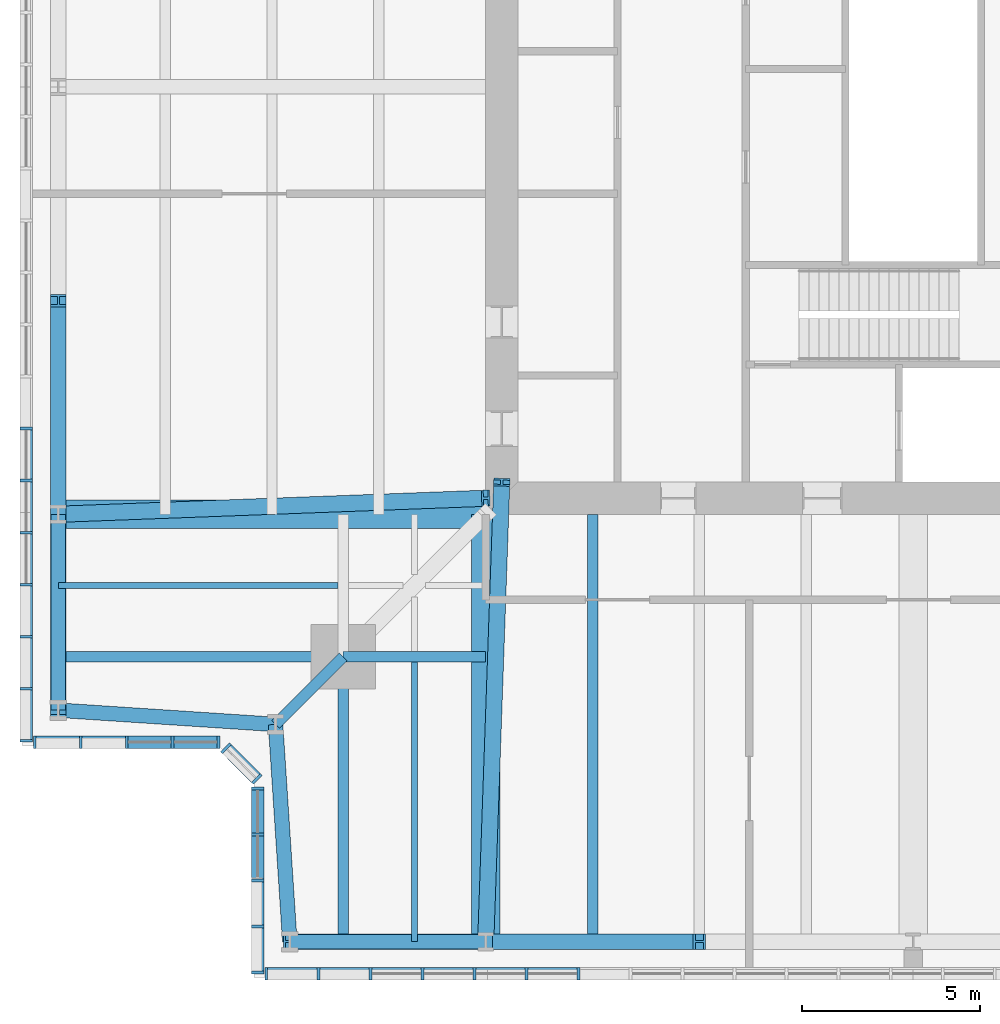
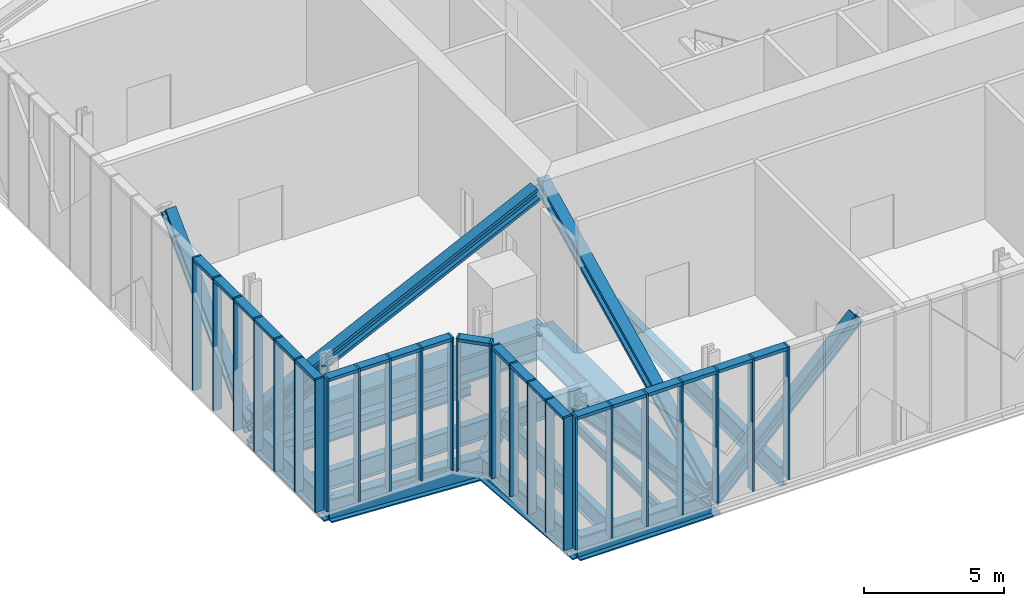
# One storey, part 2 of 18: 53 members, 13 beams, 5 elements without a shape of their own.
"""IFC4 building model written with IfcOpenShell, lengths in metres."""

from ifc_helpers import new_model, si_unit, direction, frame, origin, origin_2d, place, context, subcontext, project, spatial, rectangle, i_section, extrude, material, material_profile, profile_set, type_object, element, aggregate, save


model = new_model("IFC4")

# Units and contexts
model_context = context("Model", 3, precision=1e-05, world=origin(), true_north=direction((0.0, 1.0)))
body_context = subcontext(model_context, "Body", "Model", "MODEL_VIEW")
ifc_project = project(units=[si_unit("LENGTHUNIT", "METRE"), si_unit("AREAUNIT", "SQUARE_METRE"), si_unit("VOLUMEUNIT", "CUBIC_METRE"), si_unit("PLANEANGLEUNIT", "RADIAN"), si_unit("MASSUNIT", "GRAM", prefix="KILO")], contexts=[model_context])

# Site, building, storey
site_placement = place(None, origin())
site = spatial("IfcSite", under=ifc_project, at=site_placement, CompositionType="ELEMENT")
building_placement = place(site_placement, origin())
building = spatial("IfcBuilding", under=site, at=building_placement, Name="Fenwick Lantern Interchange", CompositionType="ELEMENT")
storey_placement = place(building_placement, frame((0.0, 0.0, 301.800048828125)))
storey = spatial("IfcBuildingStorey", under=building, at=storey_placement, Name="L73", CompositionType="ELEMENT", Elevation=301.800048828125)

# Members
ifc_material_1 = material(Name="Steel ASTM A992 Grade 50", Category="steel")
ifc_material_profile_1 = material_profile(ifc_material_1, i_section(OverallWidth=0.431884765625, OverallDepth=0.497802734375, WebThickness=0.0556640625, FlangeThickness=0.0888671875, at=origin_2d()), Name="W14X500")
ifc_profile_set_1 = profile_set([ifc_material_profile_1], Name="Steel ASTM A992 Grade 50")
member_type_1 = type_object("IfcMemberType", Name="BELT TRUSS DIAGONAL W14X500", PredefinedType="BRACE", material=ifc_profile_set_1)
member_1_placement = place(storey_placement, frame((13.0, 1.0, -0.650146484375), z_axis=(-0.675724628517, 0.0, 0.737154140201), x_axis=(0.0, -1.0, 0.0)))
element("IfcMember", 1, at=member_1_placement, inside=storey, type_object=member_type_1, Name="L73/BT/S/D1", PredefinedType="BRACE", context=body_context, shape_type="SweptSolid", body=[
    extrude(i_section(OverallWidth=0.431884765625, OverallDepth=0.497802734375, WebThickness=0.0556640625, FlangeThickness=0.0888671875, at=origin_2d()), origin(), (0.0, 0.0, 1.0), 8.139404296875),
])
for number, where, z_axis, x_axis, name in (
    (2, (13.0, 1.0, -0.650146484375), (0.707106781187, 0.0, 0.707106781187), (0.0, 1.0, 0.0), "L73/BT/S/D2"),
    (3, (1.0, 13.0, -0.650146484375), (0.0, 0.707106781187, 0.707106781187), (-1.0, 0.0, 0.0), "L73/BT/W/D5"),
):
    element("IfcMember", number, at=place(storey_placement, frame(where, z_axis=z_axis, x_axis=x_axis)), inside=storey, type_object=member_type_1, Name=name, PredefinedType="BRACE", context=body_context, shape_type="SweptSolid", body=[
        extrude(i_section(OverallWidth=0.431884765625, OverallDepth=0.497802734375, WebThickness=0.0556640625, FlangeThickness=0.0888671875, at=origin_2d()), origin(), (0.0, 0.0, 1.0), 8.4853515625),
    ])
member_2_placement = place(storey_placement, frame((1.0, 13.0, -0.650146484375), z_axis=(0.0, -0.675724628517, 0.737154140201), x_axis=(1.0, 0.0, 0.0)))
element("IfcMember", 4, at=member_2_placement, inside=storey, type_object=member_type_1, Name="L73/BT/W/D6", PredefinedType="BRACE", context=body_context, shape_type="SweptSolid", body=[
    extrude(i_section(OverallWidth=0.431884765625, OverallDepth=0.497802734375, WebThickness=0.0556640625, FlangeThickness=0.0888671875, at=origin_2d()), origin(), (0.0, 0.0, 1.0), 8.139404296875),
])

# Beams
ifc_material_profile_2 = material_profile(ifc_material_1, i_section(OverallWidth=0.408935546875, OverallDepth=1.04150390625, WebThickness=0.031005859375, FlangeThickness=0.055908203125, at=origin_2d()), Name="W40X397")
ifc_profile_set_2 = profile_set([ifc_material_profile_2], Name="Steel ASTM A992 Grade 50")
beam_type_1 = type_object("IfcBeamType", Name="EDGE BEAM W40X397", PredefinedType="SPANDREL", material=ifc_profile_set_2)
for number, where, z_axis, x_axis, name in (
    (5, (7.5, 1.0, -0.720703125), (1.0, 0.0, 0.0), (0.0, 1.0, 0.0), "L73/FR/S/EB1"),
    (6, (1.0, 13.0, -0.720703125), (0.0, -1.0, 0.0), (1.0, 0.0, 0.0), "L73/FR/W/EB4"),
):
    element("IfcBeam", number, at=place(storey_placement, frame(where, z_axis=z_axis, x_axis=x_axis)), inside=storey, type_object=beam_type_1, Name=name, PredefinedType="SPANDREL", context=body_context, shape_type="SweptSolid", body=[
        extrude(i_section(OverallWidth=0.408935546875, OverallDepth=1.04150390625, WebThickness=0.031005859375, FlangeThickness=0.055908203125, at=origin_2d()), origin(), (0.0, 0.0, 1.0), 5.5),
    ])
for number, where, z_axis, x_axis, name in (
    (7, (1.0, 7.5, -0.720703125), (0.997858060337, -0.065416293237, 0.0), (0.065416293237, 0.997858060337, 0.0), "L73/FR/W/EBR1"),
    (8, (7.10009765625, 7.10009765625, -0.720703125), (0.065416293237, -0.997858060337, 0.0), (0.997858060337, 0.065416293237, 0.0), "L73/FR/W/EBR2"),
):
    element("IfcBeam", number, at=place(storey_placement, frame(where, z_axis=z_axis, x_axis=x_axis)), inside=storey, type_object=beam_type_1, Name=name, PredefinedType="SPANDREL", context=body_context, shape_type="SweptSolid", body=[
        extrude(i_section(OverallWidth=0.408935546875, OverallDepth=1.04150390625, WebThickness=0.031005859375, FlangeThickness=0.055908203125, at=origin_2d()), origin(), (0.0, 0.0, 1.0), 6.11328125),
    ])
ifc_material_profile_3 = material_profile(ifc_material_1, i_section(OverallWidth=0.2919921875, OverallDepth=0.845703125, WebThickness=0.015380859375, FlangeThickness=0.0244140625, at=origin_2d()), Name="W33X141")
ifc_profile_set_3 = profile_set([ifc_material_profile_3], Name="Steel ASTM A992 Grade 50")
beam_type_2 = type_object("IfcBeamType", Name="FLOOR BEAM W33X141", PredefinedType="BEAM", material=ifc_profile_set_3)
beam_1_placement = place(storey_placement, frame((16.0, 1.0, -0.623046875), z_axis=(0.0, 1.0, 0.0), x_axis=(-1.0, 0.0, 0.0)))
element("IfcBeam", 9, at=beam_1_placement, inside=storey, type_object=beam_type_2, Name="L73/FR/S/R02", PredefinedType="BEAM", context=body_context, shape_type="SweptSolid", body=[
    extrude(i_section(OverallWidth=0.2919921875, OverallDepth=0.845703125, WebThickness=0.015380859375, FlangeThickness=0.0244140625, at=origin_2d()), origin(), (0.0, 0.0, 1.0), 12.0),
])
ifc_material_profile_4 = material_profile(ifc_material_1, i_section(OverallWidth=0.177734375, OverallDepth=0.406494140625, WebThickness=0.0078125, FlangeThickness=0.012939453125, at=origin_2d()), Name="W16X40")
ifc_profile_set_4 = profile_set([ifc_material_profile_4], Name="Steel ASTM A992 Grade 50")
beam_type_3 = type_object("IfcBeamType", Name="INFILL BEAM W16X40", PredefinedType="JOIST", material=ifc_profile_set_4)
for number, where, z_axis, x_axis, name in (
    (10, (11.0, 1.0, -0.4033203125), (0.0, 1.0, 0.0), (-1.0, 0.0, 0.0), "L73/FR/S/J1"),
    (11, (1.0, 11.0, -0.4033203125), (1.0, 0.0, 0.0), (0.0, 1.0, 0.0), "L73/FR/S/J3"),
):
    element("IfcBeam", number, at=place(storey_placement, frame(where, z_axis=z_axis, x_axis=x_axis)), inside=storey, type_object=beam_type_3, Name=name, PredefinedType="JOIST", context=body_context, shape_type="SweptSolid", body=[
        extrude(i_section(OverallWidth=0.177734375, OverallDepth=0.406494140625, WebThickness=0.0078125, FlangeThickness=0.012939453125, at=origin_2d()), origin(), (0.0, 0.0, 1.0), 7.85400390625),
    ])

# Curtain wall, members
ifc_material_2 = material(Name="Aluminium curtain wall frame", Category="aluminium")
curtain_wall_type = type_object("IfcCurtainWallType", Name="LANTERN GLAZING", PredefinedType="USERDEFINED", material=ifc_material_2)
curtain_wall_1_placement = place(storey_placement, origin())
curtain_wall_1 = element("IfcCurtainWall", 12, at=curtain_wall_1_placement, inside=storey, type_object=curtain_wall_type, Name="Lantern glazing 01", ObjectType="LANTERN GLAZING", PredefinedType="USERDEFINED")
ifc_material_3 = material(Name="Aluminium extrusion", Category="aluminium")
ifc_material_profile_5 = material_profile(ifc_material_3, rectangle(XDim=0.35009765625, YDim=0.080078125, at=origin_2d()), Name="LANTERN GLAZING MULLION 80 X 350")
ifc_profile_set_5 = profile_set([ifc_material_profile_5], Name="Aluminium extrusion")
member_type_2 = type_object("IfcMemberType", Name="LANTERN GLAZING MULLION 80 X 350", PredefinedType="MULLION", material=ifc_profile_set_5)
member_3_placement = place(storey_placement, frame((6.840087890625, 0.10009765625, 0.0), z_axis=(0.0, 0.0, 1.0), x_axis=(0.0, 1.0, 0.0)))
member_3 = element("IfcMember", 13, at=member_3_placement, type_object=member_type_2, Name="L73/CW/01/M00", PredefinedType="MULLION", context=body_context, shape_type="SweptSolid", body=[
    extrude(rectangle(XDim=0.35009765625, YDim=0.080078125, at=origin_2d()), origin(), (0.0, 0.0, 1.0), 5.800048828125),
])
member_4_placement = place(storey_placement, frame((8.30078125, 0.10009765625, 0.0), z_axis=(0.0, 0.0, 1.0), x_axis=(0.0, 1.0, 0.0)))
member_4 = element("IfcMember", 14, at=member_4_placement, type_object=member_type_2, Name="L73/CW/01/M01", PredefinedType="MULLION", context=body_context, shape_type="SweptSolid", body=[
    extrude(rectangle(XDim=0.35009765625, YDim=0.080078125, at=origin_2d()), origin(), (0.0, 0.0, 1.0), 5.800048828125),
])
member_5_placement = place(storey_placement, frame((9.76171875, 0.10009765625, 0.0), z_axis=(0.0, 0.0, 1.0), x_axis=(0.0, 1.0, 0.0)))
member_5 = element("IfcMember", 15, at=member_5_placement, type_object=member_type_2, Name="L73/CW/01/M02", PredefinedType="MULLION", context=body_context, shape_type="SweptSolid", body=[
    extrude(rectangle(XDim=0.35009765625, YDim=0.080078125, at=origin_2d()), origin(), (0.0, 0.0, 1.0), 5.800048828125),
])
member_6_placement = place(storey_placement, frame((11.222412109375, 0.10009765625, 0.0), z_axis=(0.0, 0.0, 1.0), x_axis=(0.0, 1.0, 0.0)))
member_6 = element("IfcMember", 16, at=member_6_placement, type_object=member_type_2, Name="L73/CW/01/M03", PredefinedType="MULLION", context=body_context, shape_type="SweptSolid", body=[
    extrude(rectangle(XDim=0.35009765625, YDim=0.080078125, at=origin_2d()), origin(), (0.0, 0.0, 1.0), 5.800048828125),
])
member_7_placement = place(storey_placement, frame((12.68310546875, 0.10009765625, 0.0), z_axis=(0.0, 0.0, 1.0), x_axis=(0.0, 1.0, 0.0)))
member_7 = element("IfcMember", 17, at=member_7_placement, type_object=member_type_2, Name="L73/CW/01/M04", PredefinedType="MULLION", context=body_context, shape_type="SweptSolid", body=[
    extrude(rectangle(XDim=0.35009765625, YDim=0.080078125, at=origin_2d()), origin(), (0.0, 0.0, 1.0), 5.800048828125),
])
member_8_placement = place(storey_placement, frame((14.14404296875, 0.10009765625, 0.0), z_axis=(0.0, 0.0, 1.0), x_axis=(0.0, 1.0, 0.0)))
member_8 = element("IfcMember", 18, at=member_8_placement, type_object=member_type_2, Name="L73/CW/01/M05", PredefinedType="MULLION", context=body_context, shape_type="SweptSolid", body=[
    extrude(rectangle(XDim=0.35009765625, YDim=0.080078125, at=origin_2d()), origin(), (0.0, 0.0, 1.0), 5.800048828125),
])
member_9_placement = place(storey_placement, frame((15.604736328125, 0.10009765625, 0.0), z_axis=(0.0, 0.0, 1.0), x_axis=(0.0, 1.0, 0.0)))
member_9 = element("IfcMember", 19, at=member_9_placement, type_object=member_type_2, Name="L73/CW/01/M06", PredefinedType="MULLION", context=body_context, shape_type="SweptSolid", body=[
    extrude(rectangle(XDim=0.35009765625, YDim=0.080078125, at=origin_2d()), origin(), (0.0, 0.0, 1.0), 5.800048828125),
])

curtain_wall_2_placement = place(storey_placement, origin())
curtain_wall_2 = element("IfcCurtainWall", 20, at=curtain_wall_2_placement, inside=storey, type_object=curtain_wall_type, Name="Lantern glazing 13", ObjectType="LANTERN GLAZING", PredefinedType="USERDEFINED")
member_10_placement = place(storey_placement, frame((0.10009765625, 15.40478515625, 0.0), z_axis=(0.0, 0.0, 1.0), x_axis=(1.0, 0.0, 0.0)))
member_10 = element("IfcMember", 21, at=member_10_placement, type_object=member_type_2, Name="L73/CW/13/M19", PredefinedType="MULLION", context=body_context, shape_type="SweptSolid", body=[
    extrude(rectangle(XDim=0.35009765625, YDim=0.080078125, at=origin_2d()), origin(), (0.0, 0.0, 1.0), 5.800048828125),
])
member_11_placement = place(storey_placement, frame((0.10009765625, 13.944091796875, 0.0), z_axis=(0.0, 0.0, 1.0), x_axis=(1.0, 0.0, 0.0)))
member_11 = element("IfcMember", 22, at=member_11_placement, type_object=member_type_2, Name="L73/CW/13/M20", PredefinedType="MULLION", context=body_context, shape_type="SweptSolid", body=[
    extrude(rectangle(XDim=0.35009765625, YDim=0.080078125, at=origin_2d()), origin(), (0.0, 0.0, 1.0), 5.800048828125),
])
member_12_placement = place(storey_placement, frame((0.10009765625, 12.483154296875, 0.0), z_axis=(0.0, 0.0, 1.0), x_axis=(1.0, 0.0, 0.0)))
member_12 = element("IfcMember", 23, at=member_12_placement, type_object=member_type_2, Name="L73/CW/13/M21", PredefinedType="MULLION", context=body_context, shape_type="SweptSolid", body=[
    extrude(rectangle(XDim=0.35009765625, YDim=0.080078125, at=origin_2d()), origin(), (0.0, 0.0, 1.0), 5.800048828125),
])
member_13_placement = place(storey_placement, frame((0.10009765625, 11.0224609375, 0.0), z_axis=(0.0, 0.0, 1.0), x_axis=(1.0, 0.0, 0.0)))
member_13 = element("IfcMember", 24, at=member_13_placement, type_object=member_type_2, Name="L73/CW/13/M22", PredefinedType="MULLION", context=body_context, shape_type="SweptSolid", body=[
    extrude(rectangle(XDim=0.35009765625, YDim=0.080078125, at=origin_2d()), origin(), (0.0, 0.0, 1.0), 5.800048828125),
])
member_14_placement = place(storey_placement, frame((0.10009765625, 9.5615234375, 0.0), z_axis=(0.0, 0.0, 1.0), x_axis=(1.0, 0.0, 0.0)))
member_14 = element("IfcMember", 25, at=member_14_placement, type_object=member_type_2, Name="L73/CW/13/M23", PredefinedType="MULLION", context=body_context, shape_type="SweptSolid", body=[
    extrude(rectangle(XDim=0.35009765625, YDim=0.080078125, at=origin_2d()), origin(), (0.0, 0.0, 1.0), 5.800048828125),
])
member_15_placement = place(storey_placement, frame((0.10009765625, 8.100830078125, 0.0), z_axis=(0.0, 0.0, 1.0), x_axis=(1.0, 0.0, 0.0)))
member_15 = element("IfcMember", 26, at=member_15_placement, type_object=member_type_2, Name="L73/CW/13/M24", PredefinedType="MULLION", context=body_context, shape_type="SweptSolid", body=[
    extrude(rectangle(XDim=0.35009765625, YDim=0.080078125, at=origin_2d()), origin(), (0.0, 0.0, 1.0), 5.800048828125),
])
member_16_placement = place(storey_placement, frame((0.10009765625, 6.639892578125, 0.0), z_axis=(0.0, 0.0, 1.0), x_axis=(1.0, 0.0, 0.0)))
member_16 = element("IfcMember", 27, at=member_16_placement, type_object=member_type_2, Name="L73/CW/13/M25", PredefinedType="MULLION", context=body_context, shape_type="SweptSolid", body=[
    extrude(rectangle(XDim=0.35009765625, YDim=0.080078125, at=origin_2d()), origin(), (0.0, 0.0, 1.0), 5.800048828125),
])

curtain_wall_3_placement = place(storey_placement, origin())
curtain_wall_3 = element("IfcCurtainWall", 28, at=curtain_wall_3_placement, inside=storey, type_object=curtain_wall_type, Name="Lantern glazing 14", ObjectType="LANTERN GLAZING", PredefinedType="USERDEFINED")
member_17_placement = place(storey_placement, frame((0.340087890625, 6.60009765625, 0.0), z_axis=(0.0, 0.0, 1.0), x_axis=(0.0, 1.0, 0.0)))
member_17 = element("IfcMember", 29, at=member_17_placement, type_object=member_type_2, Name="L73/CW/14/M00", PredefinedType="MULLION", context=body_context, shape_type="SweptSolid", body=[
    extrude(rectangle(XDim=0.35009765625, YDim=0.080078125, at=origin_2d()), origin(), (0.0, 0.0, 1.0), 5.800048828125),
])
member_18_placement = place(storey_placement, frame((1.63037109375, 6.60009765625, 0.0), z_axis=(0.0, 0.0, 1.0), x_axis=(0.0, 1.0, 0.0)))
member_18 = element("IfcMember", 30, at=member_18_placement, type_object=member_type_2, Name="L73/CW/14/M01", PredefinedType="MULLION", context=body_context, shape_type="SweptSolid", body=[
    extrude(rectangle(XDim=0.35009765625, YDim=0.080078125, at=origin_2d()), origin(), (0.0, 0.0, 1.0), 5.800048828125),
])
member_19_placement = place(storey_placement, frame((2.920654296875, 6.60009765625, 0.0), z_axis=(0.0, 0.0, 1.0), x_axis=(0.0, 1.0, 0.0)))
member_19 = element("IfcMember", 31, at=member_19_placement, type_object=member_type_2, Name="L73/CW/14/M02", PredefinedType="MULLION", context=body_context, shape_type="SweptSolid", body=[
    extrude(rectangle(XDim=0.35009765625, YDim=0.080078125, at=origin_2d()), origin(), (0.0, 0.0, 1.0), 5.800048828125),
])
member_20_placement = place(storey_placement, frame((4.211181640625, 6.60009765625, 0.0), z_axis=(0.0, 0.0, 1.0), x_axis=(0.0, 1.0, 0.0)))
member_20 = element("IfcMember", 32, at=member_20_placement, type_object=member_type_2, Name="L73/CW/14/M03", PredefinedType="MULLION", context=body_context, shape_type="SweptSolid", body=[
    extrude(rectangle(XDim=0.35009765625, YDim=0.080078125, at=origin_2d()), origin(), (0.0, 0.0, 1.0), 5.800048828125),
])
member_21_placement = place(storey_placement, frame((5.50146484375, 6.60009765625, 0.0), z_axis=(0.0, 0.0, 1.0), x_axis=(0.0, 1.0, 0.0)))
member_21 = element("IfcMember", 33, at=member_21_placement, type_object=member_type_2, Name="L73/CW/14/M04", PredefinedType="MULLION", context=body_context, shape_type="SweptSolid", body=[
    extrude(rectangle(XDim=0.35009765625, YDim=0.080078125, at=origin_2d()), origin(), (0.0, 0.0, 1.0), 5.800048828125),
])

curtain_wall_4_placement = place(storey_placement, origin())
curtain_wall_4 = element("IfcCurtainWall", 34, at=curtain_wall_4_placement, inside=storey, type_object=curtain_wall_type, Name="Lantern glazing 15", ObjectType="LANTERN GLAZING", PredefinedType="USERDEFINED")
member_22_placement = place(storey_placement, frame((5.711181640625, 6.43017578125, 0.0), z_axis=(0.0, 0.0, 1.0), x_axis=(0.707106781187, 0.707106781187, 0.0)))
member_22 = element("IfcMember", 35, at=member_22_placement, type_object=member_type_2, Name="L73/CW/15/M00", PredefinedType="MULLION", context=body_context, shape_type="SweptSolid", body=[
    extrude(rectangle(XDim=0.35009765625, YDim=0.080078125, at=origin_2d()), origin(), (0.0, 0.0, 1.0), 5.800048828125),
])
member_23_placement = place(storey_placement, frame((6.57177734375, 5.56982421875, 0.0), z_axis=(0.0, 0.0, 1.0), x_axis=(0.707106781187, 0.707106781187, 0.0)))
member_23 = element("IfcMember", 36, at=member_23_placement, type_object=member_type_2, Name="L73/CW/15/M01", PredefinedType="MULLION", context=body_context, shape_type="SweptSolid", body=[
    extrude(rectangle(XDim=0.35009765625, YDim=0.080078125, at=origin_2d()), origin(), (0.0, 0.0, 1.0), 5.800048828125),
])

curtain_wall_5_placement = place(storey_placement, origin())
curtain_wall_5 = element("IfcCurtainWall", 37, at=curtain_wall_5_placement, inside=storey, type_object=curtain_wall_type, Name="Lantern glazing 16", ObjectType="LANTERN GLAZING", PredefinedType="USERDEFINED")
member_24_placement = place(storey_placement, frame((6.60009765625, 5.301513671875, 0.0), z_axis=(0.0, 0.0, 1.0), x_axis=(1.0, 0.0, 0.0)))
member_24 = element("IfcMember", 38, at=member_24_placement, type_object=member_type_2, Name="L73/CW/16/M00", PredefinedType="MULLION", context=body_context, shape_type="SweptSolid", body=[
    extrude(rectangle(XDim=0.35009765625, YDim=0.080078125, at=origin_2d()), origin(), (0.0, 0.0, 1.0), 5.800048828125),
])
member_25_placement = place(storey_placement, frame((6.60009765625, 4.010986328125, 0.0), z_axis=(0.0, 0.0, 1.0), x_axis=(1.0, 0.0, 0.0)))
member_25 = element("IfcMember", 39, at=member_25_placement, type_object=member_type_2, Name="L73/CW/16/M01", PredefinedType="MULLION", context=body_context, shape_type="SweptSolid", body=[
    extrude(rectangle(XDim=0.35009765625, YDim=0.080078125, at=origin_2d()), origin(), (0.0, 0.0, 1.0), 5.800048828125),
])
member_26_placement = place(storey_placement, frame((6.60009765625, 2.720703125, 0.0), z_axis=(0.0, 0.0, 1.0), x_axis=(1.0, 0.0, 0.0)))
member_26 = element("IfcMember", 40, at=member_26_placement, type_object=member_type_2, Name="L73/CW/16/M02", PredefinedType="MULLION", context=body_context, shape_type="SweptSolid", body=[
    extrude(rectangle(XDim=0.35009765625, YDim=0.080078125, at=origin_2d()), origin(), (0.0, 0.0, 1.0), 5.800048828125),
])
member_27_placement = place(storey_placement, frame((6.60009765625, 1.430419921875, 0.0), z_axis=(0.0, 0.0, 1.0), x_axis=(1.0, 0.0, 0.0)))
member_27 = element("IfcMember", 41, at=member_27_placement, type_object=member_type_2, Name="L73/CW/16/M03", PredefinedType="MULLION", context=body_context, shape_type="SweptSolid", body=[
    extrude(rectangle(XDim=0.35009765625, YDim=0.080078125, at=origin_2d()), origin(), (0.0, 0.0, 1.0), 5.800048828125),
])
member_28_placement = place(storey_placement, frame((6.60009765625, 0.139892578125, 0.0), z_axis=(0.0, 0.0, 1.0), x_axis=(1.0, 0.0, 0.0)))
member_28 = element("IfcMember", 42, at=member_28_placement, type_object=member_type_2, Name="L73/CW/16/M04", PredefinedType="MULLION", context=body_context, shape_type="SweptSolid", body=[
    extrude(rectangle(XDim=0.35009765625, YDim=0.080078125, at=origin_2d()), origin(), (0.0, 0.0, 1.0), 5.800048828125),
])

# Member
ifc_material_profile_6 = material_profile(ifc_material_3, rectangle(XDim=0.35009765625, YDim=0.139892578125, at=origin_2d()), Name="LANTERN GLAZING TRANSOM 140 X 350")
ifc_profile_set_6 = profile_set([ifc_material_profile_6], Name="Aluminium extrusion")
member_type_3 = type_object("IfcMemberType", Name="LANTERN GLAZING TRANSOM 140 X 350", PredefinedType="MULLION", material=ifc_profile_set_6)
member_29_placement = place(storey_placement, frame((6.8798828125, 0.10009765625, 5.72998046875), z_axis=(1.0, 0.0, 0.0), x_axis=(0.0, 1.0, 0.0)))
member_29 = element("IfcMember", 43, at=member_29_placement, type_object=member_type_3, Name="L73/CW/01/T00", PredefinedType="MULLION", context=body_context, shape_type="SweptSolid", body=[
    extrude(rectangle(XDim=0.35009765625, YDim=0.139892578125, at=origin_2d()), origin(), (0.0, 0.0, 1.0), 1.380859375),
])

member_30_placement = place(storey_placement, frame((8.3408203125, 0.10009765625, 5.72998046875), z_axis=(1.0, 0.0, 0.0), x_axis=(0.0, 1.0, 0.0)))
member_30 = element("IfcMember", 44, at=member_30_placement, type_object=member_type_3, Name="L73/CW/01/T01", PredefinedType="MULLION", context=body_context, shape_type="SweptSolid", body=[
    extrude(rectangle(XDim=0.35009765625, YDim=0.139892578125, at=origin_2d()), origin(), (0.0, 0.0, 1.0), 1.380859375),
])

member_31_placement = place(storey_placement, frame((9.801513671875, 0.10009765625, 5.72998046875), z_axis=(1.0, 0.0, 0.0), x_axis=(0.0, 1.0, 0.0)))
member_31 = element("IfcMember", 45, at=member_31_placement, type_object=member_type_3, Name="L73/CW/01/T02", PredefinedType="MULLION", context=body_context, shape_type="SweptSolid", body=[
    extrude(rectangle(XDim=0.35009765625, YDim=0.139892578125, at=origin_2d()), origin(), (0.0, 0.0, 1.0), 1.380859375),
])

member_32_placement = place(storey_placement, frame((11.262451171875, 0.10009765625, 5.72998046875), z_axis=(1.0, 0.0, 0.0), x_axis=(0.0, 1.0, 0.0)))
member_32 = element("IfcMember", 46, at=member_32_placement, type_object=member_type_3, Name="L73/CW/01/T03", PredefinedType="MULLION", context=body_context, shape_type="SweptSolid", body=[
    extrude(rectangle(XDim=0.35009765625, YDim=0.139892578125, at=origin_2d()), origin(), (0.0, 0.0, 1.0), 1.380859375),
])

member_33_placement = place(storey_placement, frame((12.72314453125, 0.10009765625, 5.72998046875), z_axis=(1.0, 0.0, 0.0), x_axis=(0.0, 1.0, 0.0)))
member_33 = element("IfcMember", 47, at=member_33_placement, type_object=member_type_3, Name="L73/CW/01/T04", PredefinedType="MULLION", context=body_context, shape_type="SweptSolid", body=[
    extrude(rectangle(XDim=0.35009765625, YDim=0.139892578125, at=origin_2d()), origin(), (0.0, 0.0, 1.0), 1.380859375),
])

member_34_placement = place(storey_placement, frame((14.18408203125, 0.10009765625, 5.72998046875), z_axis=(1.0, 0.0, 0.0), x_axis=(0.0, 1.0, 0.0)))
member_34 = element("IfcMember", 48, at=member_34_placement, type_object=member_type_3, Name="L73/CW/01/T05", PredefinedType="MULLION", context=body_context, shape_type="SweptSolid", body=[
    extrude(rectangle(XDim=0.35009765625, YDim=0.139892578125, at=origin_2d()), origin(), (0.0, 0.0, 1.0), 1.380615234375),
])

aggregate(curtain_wall_1, [member_3, member_4, member_5, member_6, member_7, member_8, member_9, member_29, member_30, member_31, member_32, member_33, member_34])

member_35_placement = place(storey_placement, frame((0.10009765625, 15.36474609375, 5.72998046875), z_axis=(0.0, -1.0, 0.0), x_axis=(1.0, 0.0, 0.0)))
member_35 = element("IfcMember", 49, at=member_35_placement, type_object=member_type_3, Name="L73/CW/13/T19", PredefinedType="MULLION", context=body_context, shape_type="SweptSolid", body=[
    extrude(rectangle(XDim=0.35009765625, YDim=0.139892578125, at=origin_2d()), origin(), (0.0, 0.0, 1.0), 1.380859375),
])

member_36_placement = place(storey_placement, frame((0.10009765625, 13.904052734375, 5.72998046875), z_axis=(0.0, -1.0, 0.0), x_axis=(1.0, 0.0, 0.0)))
member_36 = element("IfcMember", 50, at=member_36_placement, type_object=member_type_3, Name="L73/CW/13/T20", PredefinedType="MULLION", context=body_context, shape_type="SweptSolid", body=[
    extrude(rectangle(XDim=0.35009765625, YDim=0.139892578125, at=origin_2d()), origin(), (0.0, 0.0, 1.0), 1.380859375),
])

member_37_placement = place(storey_placement, frame((0.10009765625, 12.443115234375, 5.72998046875), z_axis=(0.0, -1.0, 0.0), x_axis=(1.0, 0.0, 0.0)))
member_37 = element("IfcMember", 51, at=member_37_placement, type_object=member_type_3, Name="L73/CW/13/T21", PredefinedType="MULLION", context=body_context, shape_type="SweptSolid", body=[
    extrude(rectangle(XDim=0.35009765625, YDim=0.139892578125, at=origin_2d()), origin(), (0.0, 0.0, 1.0), 1.380615234375),
])

member_38_placement = place(storey_placement, frame((0.10009765625, 10.982421875, 5.72998046875), z_axis=(0.0, -1.0, 0.0), x_axis=(1.0, 0.0, 0.0)))
member_38 = element("IfcMember", 52, at=member_38_placement, type_object=member_type_3, Name="L73/CW/13/T22", PredefinedType="MULLION", context=body_context, shape_type="SweptSolid", body=[
    extrude(rectangle(XDim=0.35009765625, YDim=0.139892578125, at=origin_2d()), origin(), (0.0, 0.0, 1.0), 1.380859375),
])

member_39_placement = place(storey_placement, frame((0.10009765625, 9.521484375, 5.72998046875), z_axis=(0.0, -1.0, 0.0), x_axis=(1.0, 0.0, 0.0)))
member_39 = element("IfcMember", 53, at=member_39_placement, type_object=member_type_3, Name="L73/CW/13/T23", PredefinedType="MULLION", context=body_context, shape_type="SweptSolid", body=[
    extrude(rectangle(XDim=0.35009765625, YDim=0.139892578125, at=origin_2d()), origin(), (0.0, 0.0, 1.0), 1.380615234375),
])

member_40_placement = place(storey_placement, frame((0.10009765625, 8.060791015625, 5.72998046875), z_axis=(0.0, -1.0, 0.0), x_axis=(1.0, 0.0, 0.0)))
member_40 = element("IfcMember", 54, at=member_40_placement, type_object=member_type_3, Name="L73/CW/13/T24", PredefinedType="MULLION", context=body_context, shape_type="SweptSolid", body=[
    extrude(rectangle(XDim=0.35009765625, YDim=0.139892578125, at=origin_2d()), origin(), (0.0, 0.0, 1.0), 1.380859375),
])

aggregate(curtain_wall_2, [member_10, member_11, member_12, member_13, member_14, member_15, member_16, member_35, member_36, member_37, member_38, member_39, member_40])

member_41_placement = place(storey_placement, frame((0.3798828125, 6.60009765625, 5.72998046875), z_axis=(1.0, 0.0, 0.0), x_axis=(0.0, 1.0, 0.0)))
member_41 = element("IfcMember", 55, at=member_41_placement, type_object=member_type_3, Name="L73/CW/14/T00", PredefinedType="MULLION", context=body_context, shape_type="SweptSolid", body=[
    extrude(rectangle(XDim=0.35009765625, YDim=0.139892578125, at=origin_2d()), origin(), (0.0, 0.0, 1.0), 1.21044921875),
])

member_42_placement = place(storey_placement, frame((1.67041015625, 6.60009765625, 5.72998046875), z_axis=(1.0, 0.0, 0.0), x_axis=(0.0, 1.0, 0.0)))
member_42 = element("IfcMember", 56, at=member_42_placement, type_object=member_type_3, Name="L73/CW/14/T01", PredefinedType="MULLION", context=body_context, shape_type="SweptSolid", body=[
    extrude(rectangle(XDim=0.35009765625, YDim=0.139892578125, at=origin_2d()), origin(), (0.0, 0.0, 1.0), 1.210205078125),
])

member_43_placement = place(storey_placement, frame((2.960693359375, 6.60009765625, 5.72998046875), z_axis=(1.0, 0.0, 0.0), x_axis=(0.0, 1.0, 0.0)))
member_43 = element("IfcMember", 57, at=member_43_placement, type_object=member_type_3, Name="L73/CW/14/T02", PredefinedType="MULLION", context=body_context, shape_type="SweptSolid", body=[
    extrude(rectangle(XDim=0.35009765625, YDim=0.139892578125, at=origin_2d()), origin(), (0.0, 0.0, 1.0), 1.21044921875),
])

member_44_placement = place(storey_placement, frame((4.2509765625, 6.60009765625, 5.72998046875), z_axis=(1.0, 0.0, 0.0), x_axis=(0.0, 1.0, 0.0)))
member_44 = element("IfcMember", 58, at=member_44_placement, type_object=member_type_3, Name="L73/CW/14/T03", PredefinedType="MULLION", context=body_context, shape_type="SweptSolid", body=[
    extrude(rectangle(XDim=0.35009765625, YDim=0.139892578125, at=origin_2d()), origin(), (0.0, 0.0, 1.0), 1.21044921875),
])

aggregate(curtain_wall_3, [member_17, member_18, member_19, member_20, member_21, member_41, member_42, member_43, member_44])

member_45_placement = place(storey_placement, frame((5.739501953125, 6.402099609375, 5.72998046875), z_axis=(0.706999424203, -0.707214121873, 0.0), x_axis=(0.707214121873, 0.706999424203, 0.0)))
member_45 = element("IfcMember", 59, at=member_45_placement, type_object=member_type_3, Name="L73/CW/15/T00", PredefinedType="MULLION", context=body_context, shape_type="SweptSolid", body=[
    extrude(rectangle(XDim=0.35009765625, YDim=0.139892578125, at=origin_2d()), origin(), (0.0, 0.0, 1.0), 1.13720703125),
])

aggregate(curtain_wall_4, [member_22, member_23, member_45])

member_46_placement = place(storey_placement, frame((6.60009765625, 5.261474609375, 5.72998046875), z_axis=(0.0, -1.0, 0.0), x_axis=(1.0, 0.0, 0.0)))
member_46 = element("IfcMember", 60, at=member_46_placement, type_object=member_type_3, Name="L73/CW/16/T00", PredefinedType="MULLION", context=body_context, shape_type="SweptSolid", body=[
    extrude(rectangle(XDim=0.35009765625, YDim=0.139892578125, at=origin_2d()), origin(), (0.0, 0.0, 1.0), 1.21044921875),
])

member_47_placement = place(storey_placement, frame((6.60009765625, 3.970947265625, 5.72998046875), z_axis=(0.0, -1.0, 0.0), x_axis=(1.0, 0.0, 0.0)))
member_47 = element("IfcMember", 61, at=member_47_placement, type_object=member_type_3, Name="L73/CW/16/T01", PredefinedType="MULLION", context=body_context, shape_type="SweptSolid", body=[
    extrude(rectangle(XDim=0.35009765625, YDim=0.139892578125, at=origin_2d()), origin(), (0.0, 0.0, 1.0), 1.210205078125),
])

member_48_placement = place(storey_placement, frame((6.60009765625, 2.6806640625, 5.72998046875), z_axis=(0.0, -1.0, 0.0), x_axis=(1.0, 0.0, 0.0)))
member_48 = element("IfcMember", 62, at=member_48_placement, type_object=member_type_3, Name="L73/CW/16/T02", PredefinedType="MULLION", context=body_context, shape_type="SweptSolid", body=[
    extrude(rectangle(XDim=0.35009765625, YDim=0.139892578125, at=origin_2d()), origin(), (0.0, 0.0, 1.0), 1.210205078125),
])

member_49_placement = place(storey_placement, frame((6.60009765625, 1.390380859375, 5.72998046875), z_axis=(0.0, -1.0, 0.0), x_axis=(1.0, 0.0, 0.0)))
member_49 = element("IfcMember", 63, at=member_49_placement, type_object=member_type_3, Name="L73/CW/16/T03", PredefinedType="MULLION", context=body_context, shape_type="SweptSolid", body=[
    extrude(rectangle(XDim=0.35009765625, YDim=0.139892578125, at=origin_2d()), origin(), (0.0, 0.0, 1.0), 1.21044921875),
])

aggregate(curtain_wall_5, [member_24, member_25, member_26, member_27, member_28, member_46, member_47, member_48, member_49])

# Beams
ifc_material_profile_7 = material_profile(ifc_material_1, i_section(OverallWidth=0.2919921875, OverallDepth=0.845703125, WebThickness=0.015380859375, FlangeThickness=0.0244140625, at=origin_2d()), Name="W33X141")
ifc_profile_set_7 = profile_set([ifc_material_profile_7], Name="Steel ASTM A992 Grade 50")
beam_type_4 = type_object("IfcBeamType", Name="MEGA COLUMN BEAM W33X141", PredefinedType="BEAM", material=ifc_profile_set_7)
for number, where, z_axis, x_axis, name in (
    (64, (9.0, 9.0, -0.623046875), (0.0, -1.0, 0.0), (1.0, 0.0, 0.0), "L73/FR/S/MB1"),
    (65, (9.0, 9.0, -0.623046875), (-1.0, 0.0, 0.0), (0.0, -1.0, 0.0), "L73/FR/S/MB2"),
):
    element("IfcBeam", number, at=place(storey_placement, frame(where, z_axis=z_axis, x_axis=x_axis)), inside=storey, type_object=beam_type_4, Name=name, PredefinedType="BEAM", context=body_context, shape_type="SweptSolid", body=[
        extrude(i_section(OverallWidth=0.2919921875, OverallDepth=0.845703125, WebThickness=0.015380859375, FlangeThickness=0.0244140625, at=origin_2d()), origin(), (0.0, 0.0, 1.0), 8.0),
    ])
beam_2_placement = place(storey_placement, frame((9.0, 9.0, -0.623046875), z_axis=(1.0, 0.0, 0.0), x_axis=(0.0, 1.0, 0.0)))
element("IfcBeam", 66, at=beam_2_placement, inside=storey, type_object=beam_type_4, Name="L73/FR/S/MB3", PredefinedType="BEAM", context=body_context, shape_type="SweptSolid", body=[
    extrude(i_section(OverallWidth=0.2919921875, OverallDepth=0.845703125, WebThickness=0.015380859375, FlangeThickness=0.0244140625, at=origin_2d()), origin(), (0.0, 0.0, 1.0), 4.0),
])
ifc_material_4 = material(Name="Steel ASTM A572 Grade 42", Category="steel")
ifc_material_profile_8 = material_profile(ifc_material_4, i_section(OverallWidth=0.800048828125, OverallDepth=1.199951171875, WebThickness=0.06005859375, FlangeThickness=0.1201171875, at=origin_2d()), Name="BU1200X800")
ifc_profile_set_8 = profile_set([ifc_material_profile_8], Name="Steel ASTM A572 Grade 42")
beam_type_5 = type_object("IfcBeamType", Name="MOMENT-CONNECTED GIRDER BU1200X800", PredefinedType="BEAM", material=ifc_profile_set_8)
for number, where, z_axis, x_axis, name in (
    (67, (13.0, 1.0, -0.800048828125), (0.0, 1.0, 0.0), (-1.0, 0.0, 0.0), "L73/FR/S/R01"),
    (68, (1.0, 13.0, -0.800048828125), (1.0, 0.0, 0.0), (0.0, 1.0, 0.0), "L73/FR/W/R03"),
):
    element("IfcBeam", number, at=place(storey_placement, frame(where, z_axis=z_axis, x_axis=x_axis)), inside=storey, type_object=beam_type_5, Name=name, PredefinedType="BEAM", context=body_context, shape_type="SweptSolid", body=[
        extrude(i_section(OverallWidth=0.800048828125, OverallDepth=1.199951171875, WebThickness=0.06005859375, FlangeThickness=0.1201171875, at=origin_2d()), origin(), (0.0, 0.0, 1.0), 12.0),
    ])
ifc_material_profile_9 = material_profile(ifc_material_1, i_section(OverallWidth=0.3046875, OverallDepth=0.911865234375, WebThickness=0.015869140625, FlangeThickness=0.02392578125, at=origin_2d()), Name="W36X150")
ifc_profile_set_9 = profile_set([ifc_material_profile_9], Name="Steel ASTM A992 Grade 50")
beam_type_6 = type_object("IfcBeamType", Name="NOTCH BEAM W36X150", PredefinedType="BEAM", material=ifc_profile_set_9)
beam_3_placement = place(storey_placement, frame((9.0, 9.0, -0.656005859375), z_axis=(-0.707106781187, -0.707106781187, 0.0), x_axis=(0.707106781187, -0.707106781187, 0.0)))
element("IfcBeam", 69, at=beam_3_placement, inside=storey, type_object=beam_type_6, Name="L73/FR/S/TG", PredefinedType="BEAM", context=body_context, shape_type="SweptSolid", body=[
    extrude(i_section(OverallWidth=0.3046875, OverallDepth=0.911865234375, WebThickness=0.015869140625, FlangeThickness=0.02392578125, at=origin_2d()), origin(), (0.0, 0.0, 1.0), 2.686767578125),
])

# Members
ifc_material_profile_10 = material_profile(ifc_material_1, i_section(OverallWidth=0.45458984375, OverallDepth=0.56884765625, WebThickness=0.077880859375, FlangeThickness=0.124755859375, at=origin_2d()), Name="W14X730")
ifc_profile_set_10 = profile_set([ifc_material_profile_10], Name="Steel ASTM A992 Grade 50")
member_type_4 = type_object("IfcMemberType", Name="OUTRIGGER DIAGONAL W14X730", PredefinedType="BRACE", material=ifc_profile_set_10)
member_50_placement = place(storey_placement, frame((13.0, 1.0, 0.0), z_axis=(0.032223486879, 0.923833206581, 0.381436565252), x_axis=(-0.999392240336, 0.034859001078, 0.0)))
element("IfcMember", 70, at=member_50_placement, inside=storey, type_object=member_type_4, Name="L73/OR/S/W1", PredefinedType="BRACE", context=body_context, shape_type="SweptSolid", body=[
    extrude(i_section(OverallWidth=0.45458984375, OverallDepth=0.56884765625, WebThickness=0.077880859375, FlangeThickness=0.124755859375, at=origin_2d()), origin(), (0.0, 0.0, 1.0), 13.96337890625),
])
member_51_placement = place(storey_placement, frame((1.0, 13.0, 0.0), z_axis=(0.913477570557, 0.034251691946, 0.405444878729), x_axis=(-0.037469600146, 0.999297767968, 0.0)))
element("IfcMember", 71, at=member_51_placement, inside=storey, type_object=member_type_4, Name="L73/OR/W/W2", PredefinedType="BRACE", context=body_context, shape_type="SweptSolid", body=[
    extrude(i_section(OverallWidth=0.45458984375, OverallDepth=0.56884765625, WebThickness=0.077880859375, FlangeThickness=0.124755859375, at=origin_2d()), origin(), (0.0, 0.0, 1.0), 13.13671875),
])

save(model, "model.ifc")
